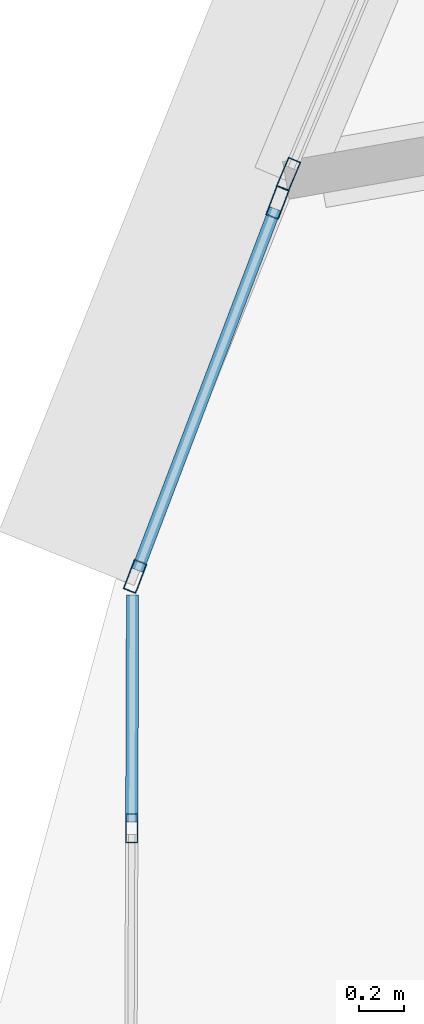
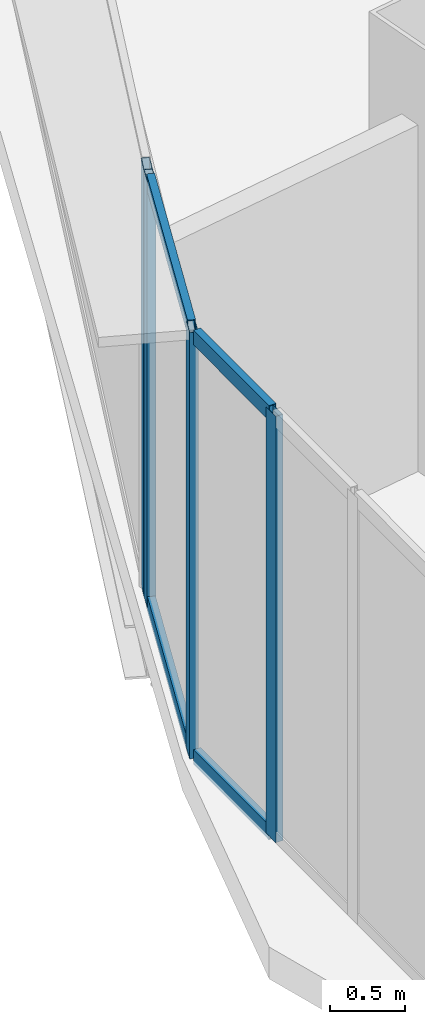
# One storey, part 4 of 36: 8 members, 3 elements without a shape of their own.
"""IFC4 building model written with IfcOpenShell, lengths in metres."""

from ifc_helpers import new_model, si_unit, direction, frame, origin, origin_2d, place, context, subcontext, project, spatial, hollow_rectangle, extrude, source, transform, mapped, material, layer, layer_set, material_profile, profile_set, type_object, element, aggregate, save


model = new_model("IFC4")

# Units and contexts
model_context = context("Model", 3, precision=1e-05, world=origin(), true_north=direction((0.0, 1.0)))
body_context = subcontext(model_context, "Body", "Model", "MODEL_VIEW")
ifc_project = project(units=[si_unit("LENGTHUNIT", "METRE"), si_unit("AREAUNIT", "SQUARE_METRE"), si_unit("VOLUMEUNIT", "CUBIC_METRE"), si_unit("PLANEANGLEUNIT", "RADIAN"), si_unit("MASSUNIT", "GRAM", prefix="KILO"), si_unit("THERMODYNAMICTEMPERATUREUNIT", "KELVIN"), si_unit("POWERUNIT", "WATT")], contexts=[model_context])

# Site, building, storey
site_placement = place(None, origin())
site = spatial("IfcSite", under=ifc_project, at=site_placement, CompositionType="ELEMENT")
building_placement = place(site_placement, origin())
building = spatial("IfcBuilding", under=site, at=building_placement, Name="Yunzhuo Pagoda Commons", CompositionType="ELEMENT")
storey_placement = place(building_placement, frame((0.0, 0.0, 248.260009765625)))
storey = spatial("IfcBuildingStorey", under=building, at=storey_placement, Name="L62", CompositionType="ELEMENT", Elevation=248.260009765625)

# Curtain wall, member
ifc_material = material(Name="Anodized aluminium 6063-T6", Category="aluminium")
ifc_layer_1 = layer(ifc_material, 0.139892578125)
ifc_layer_set_1 = layer_set([ifc_layer_1], Name="Anodized aluminium 6063-T6")
curtain_wall_type_1 = type_object("IfcCurtainWallType", Name="CW-HI High-Zone Ribbon Curtain Wall", PredefinedType="NOTDEFINED", material=ifc_layer_set_1)
curtain_wall_1_placement = place(storey_placement, origin())
curtain_wall_1 = element("IfcCurtainWall", 1, at=curtain_wall_1_placement, inside=storey, type_object=curtain_wall_type_1, Name="L62 curtain wall CW-L62-F3B4", PredefinedType="NOTDEFINED")
ifc_material_profile_1 = material_profile(ifc_material, hollow_rectangle(XDim=0.06005859375, YDim=0.139892578125, WallThickness=0.00341796875, at=origin_2d()), Name="Anodized aluminium 6063-T6")
ifc_profile_set_1 = profile_set([ifc_material_profile_1], Name="Anodized aluminium 6063-T6")
member_type_1 = type_object("IfcMemberType", Name="CW-HI-M Mullion RHS 140x60x3.5", PredefinedType="MULLION", material=ifc_profile_set_1)
shared_shape_1 = source(origin(), body_context, "Body", "SweptSolid", [
    extrude(hollow_rectangle(XDim=0.06005859375, YDim=0.139892578125, WallThickness=0.00341796875, at=origin_2d()), origin(), (0.0, 0.0, 1.0), 3.47021484375),
])
member_1_placement = place(storey_placement, frame((13.4072265625, 27.6259765625, 0.0), z_axis=(0.0, 0.0, 1.0), x_axis=(0.922008372235, -0.387169938824, 0.0)))
member_1 = element("IfcMember", 2, at=member_1_placement, type_object=member_type_1, Name="CW mullion 2", PredefinedType="MULLION", context=body_context, shape_type="MappedRepresentation", body=[
    mapped(shared_shape_1, transform((0.0, 0.0, 0.0), scale=1.0)),
])
aggregate(curtain_wall_1, [member_1])

# Curtain wall, members
curtain_wall_2_placement = place(storey_placement, origin())
curtain_wall_2 = element("IfcCurtainWall", 3, at=curtain_wall_2_placement, inside=storey, type_object=curtain_wall_type_1, Name="L62 curtain wall CW-L62-F3B5", PredefinedType="NOTDEFINED")
member_2_placement = place(storey_placement, frame((13.358154296875, 27.500244140625, 0.0), z_axis=(0.0, 0.0, 1.0), x_axis=(0.934441330585, -0.356117115139, 0.0)))
member_2 = element("IfcMember", 4, at=member_2_placement, type_object=member_type_1, Name="CW mullion 1", PredefinedType="MULLION", context=body_context, shape_type="MappedRepresentation", body=[
    mapped(shared_shape_1, transform((0.0, 0.0, 0.0), scale=1.0)),
])
member_3_placement = place(storey_placement, frame((12.722900390625, 25.833251953125, 0.0), z_axis=(0.0, 0.0, 1.0), x_axis=(0.934441330585, -0.356117115139, 0.0)))
member_3 = element("IfcMember", 5, at=member_3_placement, type_object=member_type_1, Name="CW mullion 2", PredefinedType="MULLION", context=body_context, shape_type="MappedRepresentation", body=[
    mapped(shared_shape_1, transform((0.0, 0.0, 0.0), scale=1.0)),
])
ifc_material_profile_2 = material_profile(ifc_material, hollow_rectangle(XDim=0.054931640625, YDim=0.1201171875, WallThickness=0.00341796875, at=origin_2d()), Name="Anodized aluminium 6063-T6")
ifc_profile_set_2 = profile_set([ifc_material_profile_2], Name="Anodized aluminium 6063-T6")
member_type_2 = type_object("IfcMemberType", Name="CW-HI-T Transom RHS 120x55x3.5", PredefinedType="USERDEFINED", material=ifc_profile_set_2)
shared_shape_2 = source(origin(), body_context, "Body", "SweptSolid", [
    extrude(hollow_rectangle(XDim=0.054931640625, YDim=0.1201171875, WallThickness=0.00341796875, at=origin_2d()), origin(), (0.0, 0.0, 1.0), 1.723876953125),
])
member_4_placement = place(storey_placement, frame((13.347412109375, 27.47216796875, 0.027587890625), z_axis=(-0.356054221933, -0.934465296864, 0.0), x_axis=(0.934465296864, -0.356054221933, 0.0)))
member_4 = element("IfcMember", 6, at=member_4_placement, type_object=member_type_2, Name="CW transom 1.1", ObjectType="TRANSOM", PredefinedType="USERDEFINED", context=body_context, shape_type="MappedRepresentation", body=[
    mapped(shared_shape_2, transform((0.0, 0.0, 0.0), scale=1.0)),
])
member_5_placement = place(storey_placement, frame((13.347412109375, 27.47216796875, 3.4423828125), z_axis=(-0.356054221933, -0.934465296864, 0.0), x_axis=(0.934465296864, -0.356054221933, 0.0)))
member_5 = element("IfcMember", 7, at=member_5_placement, type_object=member_type_2, Name="CW transom 1.2", ObjectType="TRANSOM", PredefinedType="USERDEFINED", context=body_context, shape_type="MappedRepresentation", body=[
    mapped(shared_shape_2, transform((0.0, 0.0, 0.0), scale=1.0)),
])
aggregate(curtain_wall_2, [member_2, member_3, member_4, member_5])

ifc_layer_2 = layer(ifc_material, 0.1298828125)
ifc_layer_set_2 = layer_set([ifc_layer_2], Name="Anodized aluminium 6063-T6")
curtain_wall_type_2 = type_object("IfcCurtainWallType", Name="CW-VTX Rounded Corner Curtain Wall", PredefinedType="NOTDEFINED", material=ifc_layer_set_2)
curtain_wall_3_placement = place(storey_placement, origin())
curtain_wall_3 = element("IfcCurtainWall", 8, at=curtain_wall_3_placement, inside=storey, type_object=curtain_wall_type_2, Name="L62 curtain wall CW-L62-VTX1S1", PredefinedType="NOTDEFINED")
ifc_material_profile_3 = material_profile(ifc_material, hollow_rectangle(XDim=0.054931640625, YDim=0.1298828125, WallThickness=0.00341796875, at=origin_2d()), Name="Anodized aluminium 6063-T6")
ifc_profile_set_3 = profile_set([ifc_material_profile_3], Name="Anodized aluminium 6063-T6")
member_type_3 = type_object("IfcMemberType", Name="CW-VTX-M Mullion RHS 130x55x3.5", PredefinedType="MULLION", material=ifc_profile_set_3)
shared_shape_3 = source(origin(), body_context, "Body", "SweptSolid", [
    extrude(hollow_rectangle(XDim=0.054931640625, YDim=0.1298828125, WallThickness=0.00341796875, at=origin_2d()), origin(), (0.0, 0.0, 1.0), 3.47021484375),
])
member_6_placement = place(storey_placement, frame((12.708251953125, 24.710693359375, 0.0), z_axis=(0.0, 0.0, 1.0), x_axis=(0.999993571429, -0.003585679809, 0.0)))
member_6 = element("IfcMember", 9, at=member_6_placement, type_object=member_type_3, Name="CW mullion 2", PredefinedType="MULLION", context=body_context, shape_type="MappedRepresentation", body=[
    mapped(shared_shape_3, transform((0.0, 0.0, 0.0), scale=1.0)),
])
ifc_material_profile_4 = material_profile(ifc_material, hollow_rectangle(XDim=0.054931640625, YDim=0.1201171875, WallThickness=0.00341796875, at=origin_2d()), Name="Anodized aluminium 6063-T6")
ifc_profile_set_4 = profile_set([ifc_material_profile_4], Name="Anodized aluminium 6063-T6")
member_type_4 = type_object("IfcMemberType", Name="CW-VTX-T Transom RHS 120x55x3.5", PredefinedType="USERDEFINED", material=ifc_profile_set_4)
shared_shape_4 = source(origin(), body_context, "Body", "SweptSolid", [
    extrude(hollow_rectangle(XDim=0.054931640625, YDim=0.1201171875, WallThickness=0.00341796875, at=origin_2d()), origin(), (0.0, 0.0, 1.0), 1.011962890625),
])
member_7_placement = place(storey_placement, frame((12.7119140625, 25.750244140625, 0.027587890625), z_axis=(-0.003618794157, -0.999993452143, 0.0), x_axis=(0.999993452143, -0.003618794157, 0.0)))
member_7 = element("IfcMember", 10, at=member_7_placement, type_object=member_type_4, Name="CW transom 1.1", ObjectType="TRANSOM", PredefinedType="USERDEFINED", context=body_context, shape_type="MappedRepresentation", body=[
    mapped(shared_shape_4, transform((0.0, 0.0, 0.0), scale=1.0)),
])
member_8_placement = place(storey_placement, frame((12.7119140625, 25.750244140625, 3.4423828125), z_axis=(-0.003618794157, -0.999993452143, 0.0), x_axis=(0.999993452143, -0.003618794157, 0.0)))
member_8 = element("IfcMember", 11, at=member_8_placement, type_object=member_type_4, Name="CW transom 1.2", ObjectType="TRANSOM", PredefinedType="USERDEFINED", context=body_context, shape_type="MappedRepresentation", body=[
    mapped(shared_shape_4, transform((0.0, 0.0, 0.0), scale=1.0)),
])
aggregate(curtain_wall_3, [member_6, member_7, member_8])

save(model, "model.ifc")
